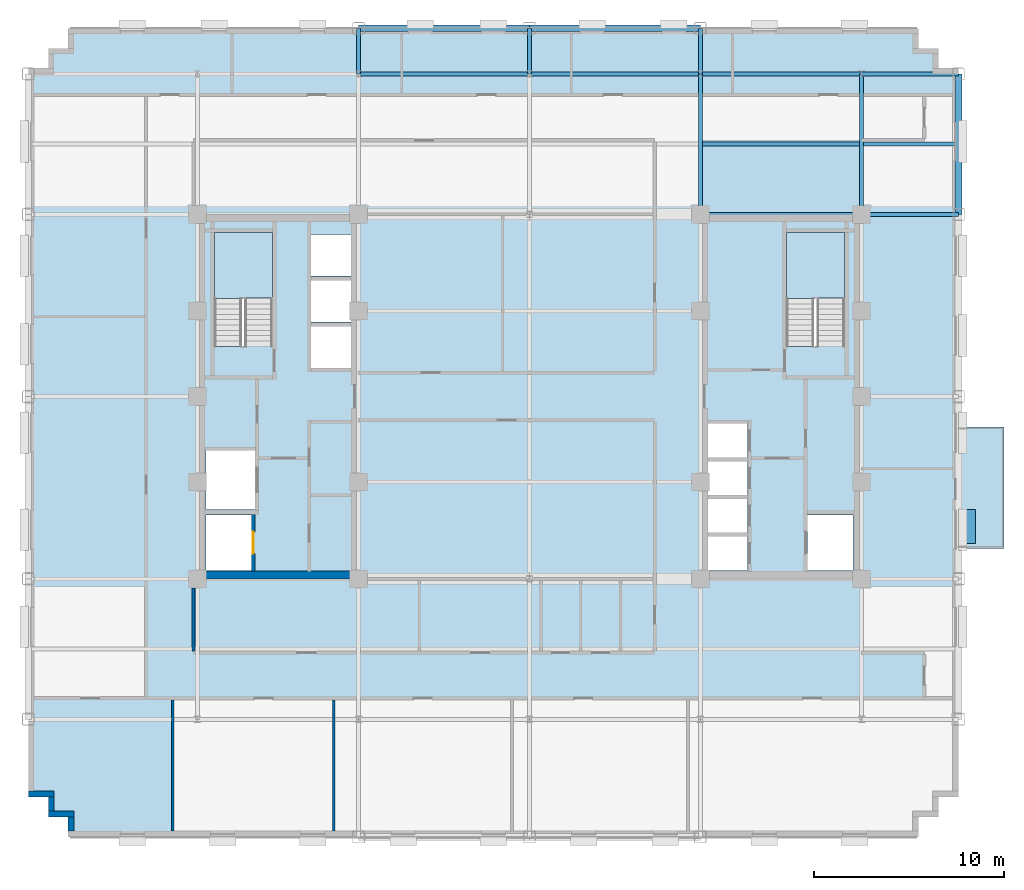
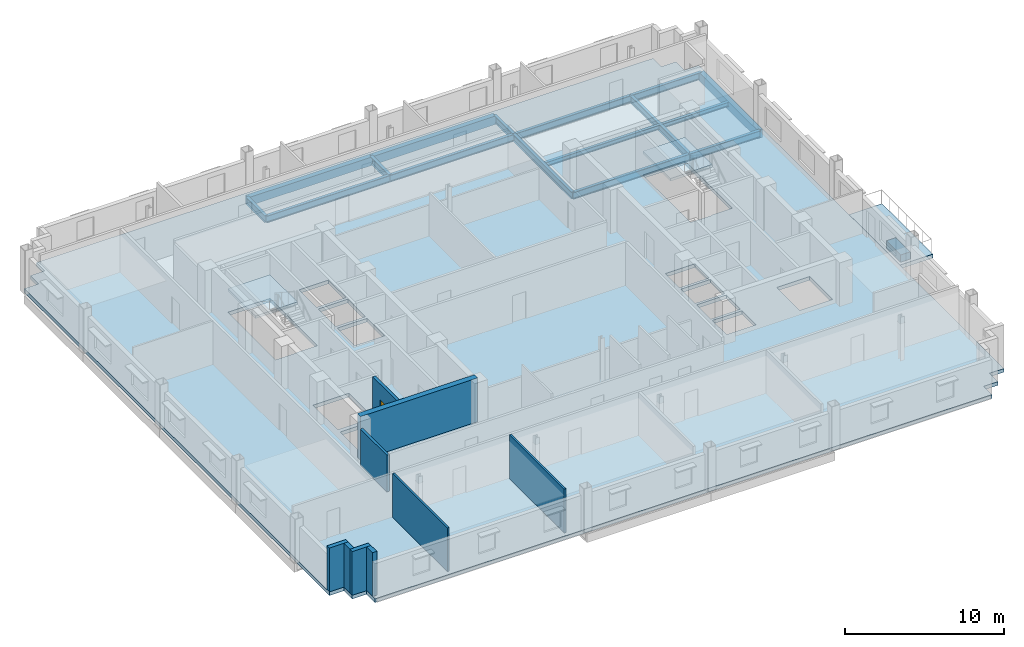
# One storey, part 6 of 14: 16 beams, 9 walls, 4 slabs, 1 door, 1 plate, 1 opening, 2 elements without a shape of their own.
"""IFC4 building model written with IfcOpenShell, lengths in metres."""

from ifc_helpers import new_model, si_unit, direction, frame, frame_2d, origin, origin_2d, place, context, subcontext, project, spatial, polyline, rectangle, i_section, outline, extrude, source, transform, mapped, material, layer, layer_set, material_profile, profile_set, type_object, type_shapes, element, fill, aggregate, save


model = new_model("IFC4")

# Units and contexts
model_context = context("Model", 3, precision=1e-05, world=origin(), true_north=direction((0.0, 1.0)))
body_context = subcontext(model_context, "Body", "Model", "MODEL_VIEW")
ifc_project = project(units=[si_unit("LENGTHUNIT", "METRE"), si_unit("AREAUNIT", "SQUARE_METRE"), si_unit("VOLUMEUNIT", "CUBIC_METRE"), si_unit("PLANEANGLEUNIT", "RADIAN"), si_unit("MASSUNIT", "GRAM", prefix="KILO")], contexts=[model_context])

# Site, building, storey
site_placement = place(None, origin())
site = spatial("IfcSite", under=ifc_project, at=site_placement, CompositionType="ELEMENT")
building_placement = place(site_placement, origin())
building = spatial("IfcBuilding", under=site, at=building_placement, Name="Nuvemarco Arch Tower", CompositionType="ELEMENT")
storey_placement = place(building_placement, frame((0.0, 0.0, 178.60009765625)))
storey = spatial("IfcBuildingStorey", under=building, at=storey_placement, Name="L47", CompositionType="ELEMENT", Elevation=178.60009765625)

# Beams
ifc_material_1 = material(Name="Steel S355", Category="steel")
ifc_material_profile_1 = material_profile(ifc_material_1, i_section(OverallWidth=0.2109375, OverallDepth=0.5390625, WebThickness=0.01171875, FlangeThickness=0.018798828125, FilletRadius=0.01611328125, at=origin_2d()), Name="W530x109")
ifc_profile_set_1 = profile_set([ifc_material_profile_1], Name="Steel S355")
beam_type_1 = type_object("IfcBeamType", Name="BM-GIRD-530", PredefinedType="BEAM", material=ifc_profile_set_1)
for number, where, z_axis, x_axis, name in (
    (1, (-9.0, 17.0, -0.549560546875), (0.0, 1.0, 0.0), (-1.0, 0.0, 0.0), "L47 structural beam BGNS_L47_0_-9.0_+17.0"),
    (2, (0.0, 17.0, -0.549560546875), (0.0, 1.0, 0.0), (-1.0, 0.0, 0.0), "L47 structural beam BGNS_L47_0_+0.0_+17.0"),
):
    element("IfcBeam", number, at=place(storey_placement, frame(where, z_axis=z_axis, x_axis=x_axis)), inside=storey, type_object=beam_type_1, Name=name, PredefinedType="BEAM", context=body_context, shape_type="SweptSolid", body=[
        extrude(i_section(OverallWidth=0.2109375, OverallDepth=0.5390625, WebThickness=0.01171875, FlangeThickness=0.018798828125, FilletRadius=0.01611328125, at=origin_2d()), origin(), (0.0, 0.0, 1.0), 2.39990234375),
    ])
beam_1_placement = place(storey_placement, frame((9.0, 9.60009765625, -0.549560546875), z_axis=(0.0, 1.0, 0.0), x_axis=(-1.0, 0.0, 0.0)))
element("IfcBeam", 3, at=beam_1_placement, inside=storey, type_object=beam_type_1, Name="L47 structural beam BGNS_L47_0_+9.0_+9.6", PredefinedType="BEAM", context=body_context, shape_type="SweptSolid", body=[
    extrude(i_section(OverallWidth=0.2109375, OverallDepth=0.5390625, WebThickness=0.01171875, FlangeThickness=0.018798828125, FilletRadius=0.01611328125, at=origin_2d()), origin(), (0.0, 0.0, 1.0), 7.39990234375),
])
beam_2_placement = place(storey_placement, frame((9.0, 17.0, -0.549560546875), z_axis=(0.0, 1.0, 0.0), x_axis=(-1.0, 0.0, 0.0)))
element("IfcBeam", 4, at=beam_2_placement, inside=storey, type_object=beam_type_1, Name="L47 structural beam BGNS_L47_0_+9.0_+17.0", PredefinedType="BEAM", context=body_context, shape_type="SweptSolid", body=[
    extrude(i_section(OverallWidth=0.2109375, OverallDepth=0.5390625, WebThickness=0.01171875, FlangeThickness=0.018798828125, FilletRadius=0.01611328125, at=origin_2d()), origin(), (0.0, 0.0, 1.0), 2.39990234375),
])
beam_3_placement = place(storey_placement, frame((17.5, 9.60009765625, -0.549560546875), z_axis=(0.0, 1.0, 0.0), x_axis=(-1.0, 0.0, 0.0)))
element("IfcBeam", 5, at=beam_3_placement, inside=storey, type_object=beam_type_1, Name="L47 structural beam BGNS_L47_0_+17.5_+9.6", PredefinedType="BEAM", context=body_context, shape_type="SweptSolid", body=[
    extrude(i_section(OverallWidth=0.2109375, OverallDepth=0.5390625, WebThickness=0.01171875, FlangeThickness=0.018798828125, FilletRadius=0.01611328125, at=origin_2d()), origin(), (0.0, 0.0, 1.0), 7.39990234375),
])
beam_4_placement = place(storey_placement, frame((9.0, 9.60009765625, -0.549560546875), z_axis=(1.0, 0.0, 0.0), x_axis=(0.0, 1.0, 0.0)))
element("IfcBeam", 6, at=beam_4_placement, inside=storey, type_object=beam_type_1, Name="L47 structural beam BGEW_L47_0_+9.6_+9.0", PredefinedType="BEAM", context=body_context, shape_type="SweptSolid", body=[
    extrude(i_section(OverallWidth=0.2109375, OverallDepth=0.5390625, WebThickness=0.01171875, FlangeThickness=0.018798828125, FilletRadius=0.01611328125, at=origin_2d()), origin(), (0.0, 0.0, 1.0), 8.5),
])
beam_5_placement = place(storey_placement, frame((17.5, 9.60009765625, -0.549560546875), z_axis=(1.0, 0.0, 0.0), x_axis=(0.0, 1.0, 0.0)))
element("IfcBeam", 7, at=beam_5_placement, inside=storey, type_object=beam_type_1, Name="L47 structural beam BGEW_L47_0_+9.6_+17.5", PredefinedType="BEAM", context=body_context, shape_type="SweptSolid", body=[
    extrude(i_section(OverallWidth=0.2109375, OverallDepth=0.5390625, WebThickness=0.01171875, FlangeThickness=0.018798828125, FilletRadius=0.01611328125, at=origin_2d()), origin(), (0.0, 0.0, 1.0), 5.10009765625),
])
for number, where, z_axis, x_axis, name in (
    (8, (-9.0, 17.0, -0.549560546875), (1.0, 0.0, 0.0), (0.0, 1.0, 0.0), "L47 structural beam BGEW_L47_0_+17.0_-9.0"),
    (9, (0.0, 17.0, -0.549560546875), (1.0, 0.0, 0.0), (0.0, 1.0, 0.0), "L47 structural beam BGEW_L47_0_+17.0_+0.0"),
):
    element("IfcBeam", number, at=place(storey_placement, frame(where, z_axis=z_axis, x_axis=x_axis)), inside=storey, type_object=beam_type_1, Name=name, PredefinedType="BEAM", context=body_context, shape_type="SweptSolid", body=[
        extrude(i_section(OverallWidth=0.2109375, OverallDepth=0.5390625, WebThickness=0.01171875, FlangeThickness=0.018798828125, FilletRadius=0.01611328125, at=origin_2d()), origin(), (0.0, 0.0, 1.0), 9.0),
    ])
beam_6_placement = place(storey_placement, frame((9.0, 17.0, -0.549560546875), z_axis=(1.0, 0.0, 0.0), x_axis=(0.0, 1.0, 0.0)))
element("IfcBeam", 10, at=beam_6_placement, inside=storey, type_object=beam_type_1, Name="L47 structural beam BGEW_L47_0_+17.0_+9.0", PredefinedType="BEAM", context=body_context, shape_type="SweptSolid", body=[
    extrude(i_section(OverallWidth=0.2109375, OverallDepth=0.5390625, WebThickness=0.01171875, FlangeThickness=0.018798828125, FilletRadius=0.01611328125, at=origin_2d()), origin(), (0.0, 0.0, 1.0), 8.5),
])
beam_7_placement = place(storey_placement, frame((17.5, 17.0, -0.549560546875), z_axis=(1.0, 0.0, 0.0), x_axis=(0.0, 1.0, 0.0)))
element("IfcBeam", 11, at=beam_7_placement, inside=storey, type_object=beam_type_1, Name="L47 structural beam BGEW_L47_0_+17.0_+17.5", PredefinedType="BEAM", context=body_context, shape_type="SweptSolid", body=[
    extrude(i_section(OverallWidth=0.2109375, OverallDepth=0.5390625, WebThickness=0.01171875, FlangeThickness=0.018798828125, FilletRadius=0.01611328125, at=origin_2d()), origin(), (0.0, 0.0, 1.0), 5.10009765625),
])
ifc_material_profile_2 = material_profile(ifc_material_1, i_section(OverallWidth=0.202880859375, OverallDepth=0.346923828125, WebThickness=0.0078125, FlangeThickness=0.013427734375, FilletRadius=0.014892578125, at=origin_2d()), Name="W360x64")
ifc_profile_set_2 = profile_set([ifc_material_profile_2], Name="Steel S355")
beam_type_2 = type_object("IfcBeamType", Name="BM-JOIST-360", PredefinedType="JOIST", material=ifc_profile_set_2)
beam_8_placement = place(storey_placement, frame((9.10546875, 13.300048828125, -0.45361328125), z_axis=(1.0, 0.0, 0.0), x_axis=(0.0, 1.0, 0.0)))
element("IfcBeam", 12, at=beam_8_placement, inside=storey, type_object=beam_type_2, Name="L47 structural beam BJ_L47_0_+13.3_+9.0", PredefinedType="JOIST", context=body_context, shape_type="SweptSolid", body=[
    extrude(i_section(OverallWidth=0.202880859375, OverallDepth=0.346923828125, WebThickness=0.0078125, FlangeThickness=0.013427734375, FilletRadius=0.014892578125, at=origin_2d()), origin(), (0.0, 0.0, 1.0), 8.2890625),
])
beam_9_placement = place(storey_placement, frame((17.60546875, 13.300048828125, -0.45361328125), z_axis=(1.0, 0.0, 0.0), x_axis=(0.0, 1.0, 0.0)))
element("IfcBeam", 13, at=beam_9_placement, inside=storey, type_object=beam_type_2, Name="L47 structural beam BJ_L47_0_+13.3_+17.5", PredefinedType="JOIST", context=body_context, shape_type="SweptSolid", body=[
    extrude(i_section(OverallWidth=0.202880859375, OverallDepth=0.346923828125, WebThickness=0.0078125, FlangeThickness=0.013427734375, FilletRadius=0.014892578125, at=origin_2d()), origin(), (0.0, 0.0, 1.0), 4.819580078125),
])
ifc_material_2 = material(Name="Precast concrete C45/55", Category="concrete")
ifc_material_profile_3 = material_profile(ifc_material_2, rectangle(XDim=0.35009765625, YDim=0.64990234375, at=origin_2d()), Name="PC-SP-350x650")
ifc_profile_set_3 = profile_set([ifc_material_profile_3], Name="Precast concrete C45/55")
beam_type_3 = type_object("IfcBeamType", Name="BM-SPAN-RC", PredefinedType="SPANDREL", material=ifc_profile_set_3)
beam_10_placement = place(storey_placement, frame((22.60009765625, 9.60009765625, -0.60498046875), z_axis=(0.0, 1.0, 0.0), x_axis=(-1.0, 0.0, 0.0)))
element("IfcBeam", 14, at=beam_10_placement, inside=storey, type_object=beam_type_3, Name="L47 structural beam BGNS_L47_0_+22.6_+9.6", PredefinedType="SPANDREL", context=body_context, shape_type="SweptSolid", body=[
    extrude(rectangle(XDim=0.35009765625, YDim=0.64990234375, at=origin_2d()), origin(), (0.0, 0.0, 1.0), 7.39990234375),
])
for number, where, z_axis, x_axis, name in (
    (15, (-9.0, 19.39990234375, -0.60498046875), (1.0, 0.0, 0.0), (0.0, 1.0, 0.0), "L47 structural beam BGEW_L47_0_+19.4_-9.0"),
    (16, (0.0, 19.39990234375, -0.60498046875), (1.0, 0.0, 0.0), (0.0, 1.0, 0.0), "L47 structural beam BGEW_L47_0_+19.4_+0.0"),
):
    element("IfcBeam", number, at=place(storey_placement, frame(where, z_axis=z_axis, x_axis=x_axis)), inside=storey, type_object=beam_type_3, Name=name, PredefinedType="SPANDREL", context=body_context, shape_type="SweptSolid", body=[
        extrude(rectangle(XDim=0.35009765625, YDim=0.64990234375, at=origin_2d()), origin(), (0.0, 0.0, 1.0), 9.0),
    ])

# Slab
ifc_material_3 = material(Name="Concrete C50/60", Category="concrete")
ifc_layer_1 = layer(ifc_material_3, 0.280029296875, Name="SL-FLR-280")
ifc_layer_set_1 = layer_set([ifc_layer_1], Name="Concrete C50/60")
slab_type_1 = type_object("IfcSlabType", Name="SL-FLR-280", PredefinedType="FLOOR", material=ifc_layer_set_1)
slab_1_placement = place(storey_placement, frame((0.0, 0.0, -0.280029296875)))
element("IfcSlab", 17, at=slab_1_placement, inside=storey, type_object=slab_type_1, Name="L47 structural floor slab", PredefinedType="FLOOR", context=body_context, shape_type="SweptSolid", body=[
    extrude(outline(polyline([(-24.300048828125, -23.199951171875), (20.5, -23.199951171875), (20.5, -22.14990234375), (21.550048828125, -22.14990234375), (21.550048828125, -21.10009765625), (22.60009765625, -21.10009765625), (22.60009765625, 17.300048828125), (21.550048828125, 17.300048828125), (21.550048828125, 18.35009765625), (20.5, 18.35009765625), (20.5, 19.39990234375), (-24.300048828125, 19.39990234375), (-24.300048828125, 18.35009765625), (-25.35009765625, 18.35009765625), (-25.35009765625, 17.300048828125), (-26.39990234375, 17.300048828125), (-26.39990234375, -21.10009765625), (-25.35009765625, -21.10009765625), (-25.35009765625, -22.14990234375), (-24.300048828125, -22.14990234375), (-24.300048828125, -23.199951171875)]), holes=[polyline([(-13.5400390625, 2.669921875), (-13.5400390625, 8.64990234375), (-16.60009765625, 8.64990234375), (-16.60009765625, 2.630615234375), (-15.070068359375, 2.630615234375), (-15.070068359375, 2.669921875), (-13.5400390625, 2.669921875)]), polyline([(16.60009765625, 2.669921875), (16.60009765625, 8.64990234375), (13.5400390625, 8.64990234375), (13.5400390625, 2.630615234375), (15.070068359375, 2.630615234375), (15.070068359375, 2.669921875), (16.60009765625, 2.669921875)]), polyline([(-17.050048828125, -9.14990234375), (-14.64990234375, -9.14990234375), (-14.64990234375, -6.25), (-17.050048828125, -6.25), (-17.050048828125, -9.14990234375)]), polyline([(-17.050048828125, -5.949951171875), (-14.449951171875, -5.949951171875), (-14.449951171875, -2.85009765625), (-17.050048828125, -2.85009765625), (-17.050048828125, -5.949951171875)]), polyline([(-11.5, 1.5), (-9.35009765625, 1.5), (-9.35009765625, 3.699951171875), (-11.5, 3.699951171875), (-11.5, 1.5)]), polyline([(-11.5, 3.919921875), (-9.35009765625, 3.919921875), (-9.35009765625, 6.1201171875), (-11.5, 6.1201171875), (-11.5, 3.919921875)]), polyline([(-11.5, 6.340087890625), (-9.35009765625, 6.340087890625), (-9.35009765625, 8.5400390625), (-11.5, 8.5400390625), (-11.5, 6.340087890625)]), polyline([(14.64990234375, -9.14990234375), (17.050048828125, -9.14990234375), (17.050048828125, -6.25), (14.64990234375, -6.25), (14.64990234375, -9.14990234375)]), polyline([(9.35009765625, -9.14990234375), (11.5, -9.14990234375), (11.5, -7.3701171875), (9.35009765625, -7.3701171875), (9.35009765625, -9.14990234375)]), polyline([(9.35009765625, -7.169921875), (11.5, -7.169921875), (11.5, -5.389892578125), (9.35009765625, -5.389892578125), (9.35009765625, -7.169921875)]), polyline([(9.35009765625, -5.18994140625), (11.5, -5.18994140625), (11.5, -3.409912109375), (9.35009765625, -3.409912109375), (9.35009765625, -5.18994140625)]), polyline([(9.35009765625, -3.2099609375), (11.5, -3.2099609375), (11.5, -1.429931640625), (9.35009765625, -1.429931640625), (9.35009765625, -3.2099609375)])]), origin(), (0.0, 0.0, 1.0), 0.280029296875),
])

# Stair, slab
stair_type = type_object("IfcStairType", Name="ST-CORE-20R", PredefinedType="HALF_TURN_STAIR", material=ifc_material_2)
stair_1_placement = place(storey_placement, origin())
stair_1 = element("IfcStair", 18, at=stair_1_placement, inside=storey, type_object=stair_type, Name="L47 Protected Exit Stair ST-1", PredefinedType="HALF_TURN_STAIR")
ifc_layer_2 = layer(ifc_material_2, 0.199951171875, Name="SL-LANDING-200")
ifc_layer_set_2 = layer_set([ifc_layer_2], Name="Precast concrete C45/55")
slab_type_2 = type_object("IfcSlabType", Name="SL-LANDING-200", PredefinedType="LANDING", material=ifc_layer_set_2)
slab_2_placement = place(storey_placement, frame((0.0, 0.0, 1.625)))
slab_2 = element("IfcSlab", 19, at=slab_2_placement, type_object=slab_type_2, Name="ST-20R landing 1", PredefinedType="LANDING", context=body_context, shape_type="SweptSolid", body=[
    extrude(outline(polyline([(-13.5400390625, 5.189453125), (-13.5400390625, 8.64990234375), (-16.60009765625, 8.64990234375), (-16.60009765625, 5.169921875), (-15.070068359375, 5.169921875), (-15.070068359375, 5.189453125), (-13.5400390625, 5.189453125)])), origin(), (0.0, 0.0, 1.0), 0.199951171875),
])
aggregate(stair_1, [slab_2])

stair_2_placement = place(storey_placement, origin())
stair_2 = element("IfcStair", 20, at=stair_2_placement, inside=storey, type_object=stair_type, Name="L47 Protected Exit Stair ST-2", PredefinedType="HALF_TURN_STAIR")
slab_3_placement = place(storey_placement, frame((0.0, 0.0, 1.625)))
slab_3 = element("IfcSlab", 21, at=slab_3_placement, type_object=slab_type_2, Name="ST-20R landing 1", PredefinedType="LANDING", context=body_context, shape_type="SweptSolid", body=[
    extrude(outline(polyline([(16.60009765625, 5.189453125), (16.60009765625, 8.64990234375), (13.5400390625, 8.64990234375), (13.5400390625, 5.169921875), (15.070068359375, 5.169921875), (15.070068359375, 5.189453125), (16.60009765625, 5.189453125)])), origin(), (0.0, 0.0, 1.0), 0.199951171875),
])
aggregate(stair_2, [slab_3])

# Slab
ifc_layer_3 = layer(ifc_material_3, 0.294921875, Name="SL-TR4")
ifc_layer_set_3 = layer_set([ifc_layer_3], Name="Concrete C50/60")
slab_type_3 = type_object("IfcSlabType", Name="SL-TR4", PredefinedType="FLOOR", material=ifc_layer_set_3)
slab_4_placement = place(storey_placement, frame((0.0, 0.0, -0.295166015625)))
element("IfcSlab", 22, at=slab_4_placement, inside=storey, type_object=slab_type_3, Name="L47 outdoor spiral terrace slab 1", PredefinedType="FLOOR", context=body_context, shape_type="SweptSolid", body=[
    extrude(outline(polyline([(22.60009765625, -8.0), (25.0, -8.0), (25.0, -1.60009765625), (22.60009765625, -1.60009765625), (22.60009765625, -8.0)])), origin(), (0.0, 0.0, 1.0), 0.295166015625),
])

# Plate
ifc_layer_4 = layer(ifc_material_2, 0.550048828125, Name="Tree Balcony Structural Planter")
ifc_layer_set_4 = layer_set([ifc_layer_4], Name="Precast concrete C45/55")
plate_type = type_object("IfcPlateType", Name="Tree Balcony Structural Planter", PredefinedType="USERDEFINED", material=ifc_layer_set_4)
shared_shape_1 = source(origin(), body_context, "Body", "SweptSolid", [
    extrude(rectangle(XDim=1.800048828125, YDim=0.699951171875, at=origin_2d()), origin(), (0.0, 0.0, 1.0), 0.550048828125),
])
type_shapes(plate_type, [shared_shape_1])
plate_placement = place(storey_placement, frame((23.14990234375, -6.85009765625, 0.0), z_axis=(0.0, 0.0, 1.0), x_axis=(0.0, 1.0, 0.0)))
element("IfcPlate", 23, at=plate_placement, inside=storey, type_object=plate_type, Name="L47 Tree Balcony Structural Planter", ObjectType="PLANTER", PredefinedType="USERDEFINED", context=body_context, shape_type="MappedRepresentation", body=[
    mapped(shared_shape_1, transform((0.0, 0.0, 0.0), scale=1.0)),
])

# Walls
ifc_layer_5 = layer(ifc_material_2, 0.31005859375, Name="EW-UPP-310")
ifc_layer_set_5 = layer_set([ifc_layer_5], Name="Precast concrete C45/55")
wall_type_1 = type_object("IfcWallType", Name="EW-UPP-310", PredefinedType="STANDARD", material=ifc_layer_set_5)
wall_1_placement = place(storey_placement, frame((-26.39990234375, -20.945068359375, 0.0), z_axis=(0.0, 0.0, 1.0), x_axis=(1.0, 0.0, 0.0)))
element("IfcWall", 24, at=wall_1_placement, inside=storey, type_object=wall_type_1, Name="L47 exterior precast facade wall 17", PredefinedType="STANDARD", context=body_context, shape_type="SweptSolid", body=[
    extrude(rectangle(XDim=1.35986328125, YDim=0.31005859375, at=frame_2d((0.679931640625, 0.0))), origin(), (0.0, 0.0, 1.0), 3.35986328125),
])
wall_2_placement = place(storey_placement, frame((-25.195068359375, -21.843994140625, 0.0), z_axis=(0.0, 0.0, 1.0), x_axis=(0.0, 1.0, 0.0)))
element("IfcWall", 25, at=wall_2_placement, inside=storey, type_object=wall_type_1, Name="L47 exterior precast facade wall 18", PredefinedType="STANDARD", context=body_context, shape_type="SweptSolid", body=[
    extrude(rectangle(XDim=0.748046875, YDim=0.31005859375, at=frame_2d((0.3740234375, 0.0))), origin(), (0.0, 0.0, 1.0), 3.35986328125),
])
wall_3_placement = place(storey_placement, frame((-25.35009765625, -21.9951171875, 0.0), z_axis=(0.0, 0.0, 1.0), x_axis=(1.0, 0.0, 0.0)))
element("IfcWall", 26, at=wall_3_placement, inside=storey, type_object=wall_type_1, Name="L47 exterior precast facade wall 19", PredefinedType="STANDARD", context=body_context, shape_type="SweptSolid", body=[
    extrude(rectangle(XDim=1.360107421875, YDim=0.31005859375, at=frame_2d((0.68017578125, 0.0))), origin(), (0.0, 0.0, 1.0), 3.35986328125),
])
wall_4_placement = place(storey_placement, frame((-24.14501953125, -22.89404296875, 0.0), z_axis=(0.0, 0.0, 1.0), x_axis=(0.0, 1.0, 0.0)))
element("IfcWall", 27, at=wall_4_placement, inside=storey, type_object=wall_type_1, Name="L47 exterior precast facade wall 20", PredefinedType="STANDARD", context=body_context, shape_type="SweptSolid", body=[
    extrude(rectangle(XDim=0.748046875, YDim=0.31005859375, at=frame_2d((0.3740234375, 0.0))), origin(), (0.0, 0.0, 1.0), 3.35986328125),
])
ifc_material_4 = material(Name="Concrete C60/75", Category="concrete")
ifc_layer_6 = layer(ifc_material_4, 0.39990234375, Name="WL-CORE-400")
ifc_layer_set_6 = layer_set([ifc_layer_6], Name="Concrete C60/75")
wall_type_2 = type_object("IfcWallType", Name="WL-CORE-400", PredefinedType="SHEAR", material=ifc_layer_set_6)
wall_5_placement = place(storey_placement, frame((-17.5, -9.39990234375, 0.0), z_axis=(0.0, 0.0, 1.0), x_axis=(1.0, 0.0, 0.0)))
element("IfcWall", 28, at=wall_5_placement, inside=storey, type_object=wall_type_2, Name="L47 W-core shear wall S", PredefinedType="SHEAR", context=body_context, shape_type="SweptSolid", body=[
    extrude(rectangle(XDim=8.5, YDim=0.39990234375, at=frame_2d((4.25, 0.0))), origin(), (0.0, 0.0, 1.0), 3.369873046875),
])
ifc_material_5 = material(Name="Fire-rated gypsum drywall partition")
ifc_layer_7 = layer(ifc_material_5, 0.179931640625, Name="WL-CORR-180")
ifc_layer_set_7 = layer_set([ifc_layer_7], Name="Fire-rated gypsum drywall partition")
wall_type_3 = type_object("IfcWallType", Name="WL-CORR-180", PredefinedType="PARTITIONING", material=ifc_layer_set_7)
wall_6_placement = place(storey_placement, frame((-17.699951171875, -13.4140625, 0.0), z_axis=(0.0, 0.0, 1.0), x_axis=(0.0, 1.0, 0.0)))
element("IfcWall", 29, at=wall_6_placement, inside=storey, type_object=wall_type_3, Name="L47 interior wall IW-L47-017", PredefinedType="PARTITIONING", context=body_context, shape_type="SweptSolid", body=[
    extrude(rectangle(XDim=3.343017578125, YDim=0.179931640625, at=frame_2d((1.67138671875, 0.0))), origin(), (0.0, 0.0, 1.0), 2.81591796875),
])
ifc_material_6 = material(Name="Gypsum plasterboard partition")
ifc_layer_8 = layer(ifc_material_6, 0.139892578125, Name="WL-ROOM-140")
ifc_layer_set_8 = layer_set([ifc_layer_8], Name="Gypsum plasterboard partition")
wall_type_4 = type_object("IfcWallType", Name="WL-ROOM-140", PredefinedType="PARTITIONING", material=ifc_layer_set_8)
for number, where, z_axis, x_axis, name in (
    (30, (-18.800048828125, -22.889892578125, 0.0), (0.0, 0.0, 1.0), (0.0, 1.0, 0.0), "L47 interior wall IW-L47-016"),
    (31, (-10.31005859375, -22.889892578125, 0.0), (0.0, 0.0, 1.0), (0.0, 1.0, 0.0), "L47 interior wall IW-L47-020"),
):
    element("IfcWall", number, at=place(storey_placement, frame(where, z_axis=z_axis, x_axis=x_axis)), inside=storey, type_object=wall_type_4, Name=name, PredefinedType="PARTITIONING", context=body_context, shape_type="SweptSolid", body=[
        extrude(rectangle(XDim=6.90380859375, YDim=0.139892578125, at=frame_2d((3.451904296875, 0.0))), origin(), (0.0, 0.0, 1.0), 3.35986328125),
    ])

# Wall, opening, door
ifc_layer_9 = layer(ifc_material_3, 0.199951171875, Name="WL-SHAFT-220")
ifc_layer_set_9 = layer_set([ifc_layer_9], Name="Concrete C50/60")
wall_type_5 = type_object("IfcWallType", Name="WL-SHAFT-220", PredefinedType="SHEAR", material=ifc_layer_set_9)
wall_7_placement = place(storey_placement, frame((-14.550048828125, -9.205078125, 0.0), z_axis=(0.0, 0.0, 1.0), x_axis=(0.0, 1.0, 0.0)))
wall_7 = element("IfcWall", 32, at=wall_7_placement, inside=storey, type_object=wall_type_5, Name="L47 structural shaft wall SW-L47-W-SHE", PredefinedType="SHEAR", context=body_context, shape_type="SweptSolid", body=[
    extrude(rectangle(XDim=3.010009765625, YDim=0.199951171875, at=frame_2d((1.5048828125, 0.0))), origin(), (0.0, 0.0, 1.0), 3.369873046875),
])
opening_placement = place(wall_7_placement, frame((0.929931640625, 0.0, 0.0)))
opening = element("IfcOpeningElement", 33, at=opening_placement, cuts=wall_7, Name="Opening LD-2", PredefinedType="OPENING", context=body_context, shape_type="SweptSolid", body=[
    extrude(rectangle(XDim=1.14990234375, YDim=2.14990234375, at=frame_2d((0.574951171875, 1.074951171875))), frame((0.0, 0.10986328125, 0.0), z_axis=(0.0, -1.0, 0.0), x_axis=(1.0, 0.0, 0.0)), (0.0, 0.0, 1.0), 0.219970703125),
])
ifc_material_7 = material(Name="Stainless steel lift door", Category="steel")
door_type = type_object("IfcDoorType", Name="DR-LIFT-FIRE", OperationType="DOUBLE_DOOR_SLIDING", PredefinedType="DOOR", material=ifc_material_7)
shared_shape_2 = source(origin(), body_context, "Body", "SweptSolid", [
    extrude(rectangle(XDim=1.14990234375, YDim=2.14990234375, at=frame_2d((0.574951171875, 1.074951171875))), frame((0.0, 0.02490234375, 0.0), z_axis=(0.0, -1.0, 0.0), x_axis=(1.0, 0.0, 0.0)), (0.0, 0.0, 1.0), 0.050048828125),
])
type_shapes(door_type, [shared_shape_2])
door_placement = place(opening_placement, origin())
door = element("IfcDoor", 34, at=door_placement, inside=storey, type_object=door_type, Name="L47 Lift landing sliding door FFL-1", OperationType="DOUBLE_DOOR_SLIDING", OverallHeight=2.14990234375, OverallWidth=1.14990234375, PredefinedType="DOOR", context=body_context, shape_type="MappedRepresentation", body=[
    mapped(shared_shape_2, transform((0.0, 0.0, 0.0), scale=1.0)),
])
fill(opening, door)

save(model, "model.ifc")
